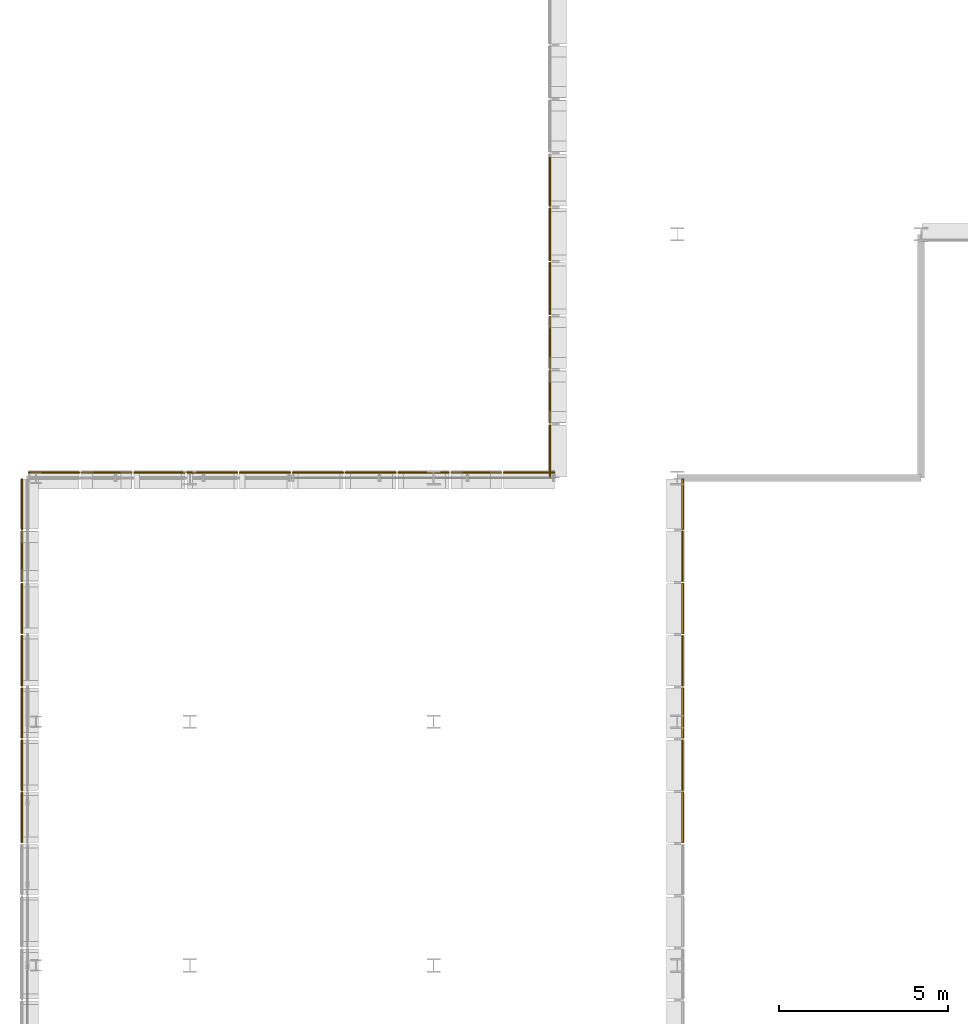
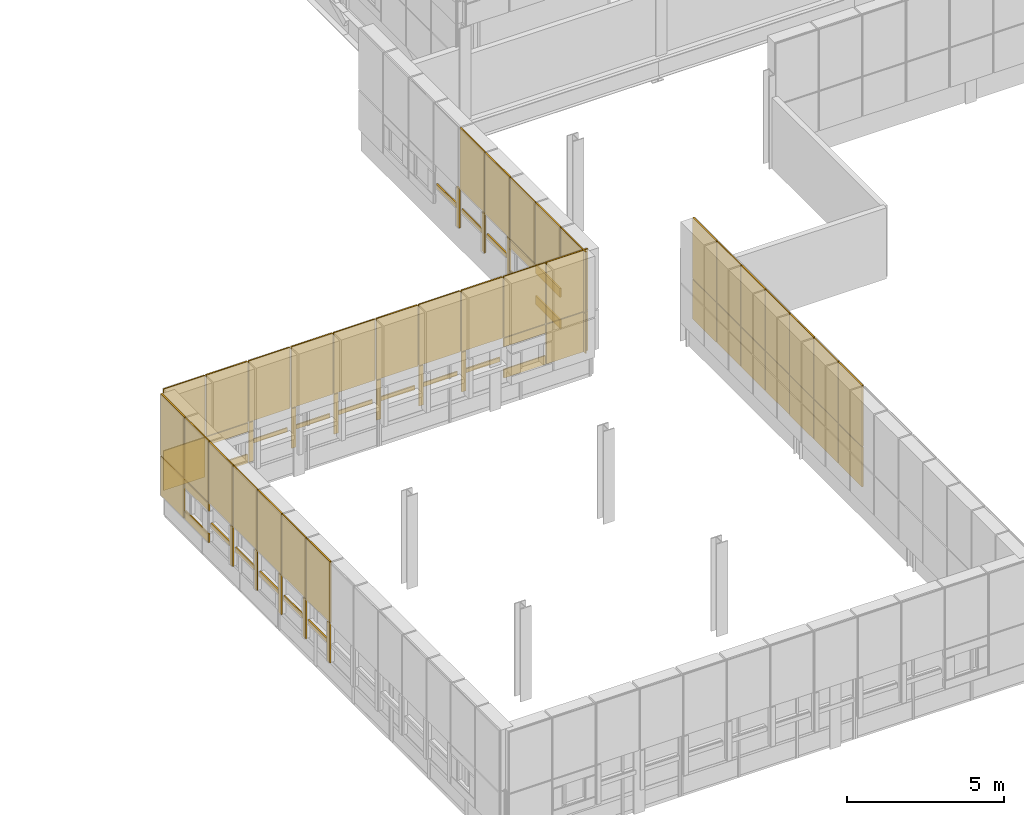
# One storey, part 77 of 96: 78 coverings.
"""IFC4 building model written with IfcOpenShell, lengths in metres."""

from ifc_helpers import new_model, si_unit, direction, frame, origin, origin_2d, place, context, subcontext, project, spatial, rectangle, extrude, material, layer, layer_set, type_object, element, save


model = new_model("IFC4")

# Units and contexts
model_context = context("Model", 3, precision=1e-05, world=origin(), true_north=direction((0.0, 1.0)))
body_context = subcontext(model_context, "Body", "Model", "MODEL_VIEW")
ifc_project = project(units=[si_unit("LENGTHUNIT", "METRE"), si_unit("AREAUNIT", "SQUARE_METRE"), si_unit("VOLUMEUNIT", "CUBIC_METRE"), si_unit("PLANEANGLEUNIT", "RADIAN"), si_unit("MASSUNIT", "GRAM", prefix="KILO")], contexts=[model_context])

# Site, building, storey
site_placement = place(None, origin())
site = spatial("IfcSite", under=ifc_project, at=site_placement, CompositionType="ELEMENT")
building_placement = place(site_placement, origin())
building = spatial("IfcBuilding", under=site, at=building_placement, Name="Yarey Park Central Fire Station", CompositionType="ELEMENT")
storey_placement = place(building_placement, frame((0.0, 0.0, 14.39990234375)))
storey = spatial("IfcBuildingStorey", under=building, at=storey_placement, Name="L04", CompositionType="ELEMENT", Elevation=14.39990234375)

# Coverings
ifc_material = material(Name="Perforated Powder-Coated Aluminium Cladding", Category="aluminium")
ifc_layer_1 = layer(ifc_material, 0.0419921875)
ifc_layer_set_1 = layer_set([ifc_layer_1], Name="Perforated Powder-Coated Aluminium Cladding")
covering_type_1 = type_object("IfcCoveringType", Name="ENV_COV_PERF_1", PredefinedType="CLADDING", material=ifc_layer_set_1)
covering_1_placement = place(storey_placement, frame((9.43994140625, 34.052978515625, 0.864990234375), z_axis=(0.0, 0.0, 1.0), x_axis=(0.0, 1.0, 0.0)))
element("IfcCovering", 1, at=covering_1_placement, inside=storey, type_object=covering_type_1, Name="PERF_L04_0063", PredefinedType="CLADDING", context=body_context, shape_type="SweptSolid", body=[
    extrude(rectangle(XDim=0.159912109375, YDim=0.0419921875, at=origin_2d()), origin(), (0.0, 0.0, 1.0), 1.5400390625),
])
covering_2_placement = place(storey_placement, frame((9.43994140625, 34.71435546875, 1.55517578125), z_axis=(0.0, 0.0, 1.0), x_axis=(0.0, 1.0, 0.0)))
element("IfcCovering", 2, at=covering_2_placement, inside=storey, type_object=covering_type_1, Name="PERF_L04_0064", PredefinedType="CLADDING", context=body_context, shape_type="SweptSolid", body=[
    extrude(rectangle(XDim=1.302978515625, YDim=0.0419921875, at=origin_2d()), origin(), (0.0, 0.0, 1.0), 0.159912109375),
])
covering_3_placement = place(storey_placement, frame((9.43994140625, 34.71435546875, 2.43505859375), z_axis=(0.0, 0.0, 1.0), x_axis=(0.0, 1.0, 0.0)))
element("IfcCovering", 3, at=covering_3_placement, inside=storey, type_object=covering_type_1, Name="PERF_L04_0065", PredefinedType="CLADDING", context=body_context, shape_type="SweptSolid", body=[
    extrude(rectangle(XDim=1.5029296875, YDim=0.0419921875, at=origin_2d()), origin(), (0.0, 0.0, 1.0), 2.3701171875),
])
covering_4_placement = place(storey_placement, frame((9.43994140625, 37.138671875, 0.864990234375), z_axis=(0.0, 0.0, 1.0), x_axis=(0.0, 1.0, 0.0)))
element("IfcCovering", 4, at=covering_4_placement, inside=storey, type_object=covering_type_1, Name="PERF_L04_0077", PredefinedType="CLADDING", context=body_context, shape_type="SweptSolid", body=[
    extrude(rectangle(XDim=0.159912109375, YDim=0.0419921875, at=origin_2d()), origin(), (0.0, 0.0, 1.0), 1.5400390625),
])
covering_5_placement = place(storey_placement, frame((9.43994140625, 37.800048828125, 1.55517578125), z_axis=(0.0, 0.0, 1.0), x_axis=(0.0, 1.0, 0.0)))
element("IfcCovering", 5, at=covering_5_placement, inside=storey, type_object=covering_type_1, Name="PERF_L04_0078", PredefinedType="CLADDING", context=body_context, shape_type="SweptSolid", body=[
    extrude(rectangle(XDim=1.302978515625, YDim=0.0419921875, at=origin_2d()), origin(), (0.0, 0.0, 1.0), 0.159912109375),
])
covering_6_placement = place(storey_placement, frame((9.43994140625, 37.800048828125, 2.43505859375), z_axis=(0.0, 0.0, 1.0), x_axis=(0.0, 1.0, 0.0)))
element("IfcCovering", 6, at=covering_6_placement, inside=storey, type_object=covering_type_1, Name="PERF_L04_0079", PredefinedType="CLADDING", context=body_context, shape_type="SweptSolid", body=[
    extrude(rectangle(XDim=1.5029296875, YDim=0.0419921875, at=origin_2d()), origin(), (0.0, 0.0, 1.0), 2.3701171875),
])
for number, where, z_axis, x_axis, name in (
    (7, (9.43994140625, 40.8857421875, 0.85986328125), (0.0, 0.0, 1.0), (0.0, 1.0, 0.0), "PERF_L04_0093"),
    (8, (9.43994140625, 40.8857421875, 2.06982421875), (0.0, 0.0, 1.0), (0.0, 1.0, 0.0), "PERF_L04_0094"),
):
    element("IfcCovering", number, at=place(storey_placement, frame(where, z_axis=z_axis, x_axis=x_axis)), inside=storey, type_object=covering_type_1, Name=name, PredefinedType="CLADDING", context=body_context, shape_type="SweptSolid", body=[
        extrude(rectangle(XDim=1.5029296875, YDim=0.0419921875, at=origin_2d()), origin(), (0.0, 0.0, 1.0), 0.340087890625),
    ])
covering_7_placement = place(storey_placement, frame((9.43994140625, 40.8857421875, 2.43505859375), z_axis=(0.0, 0.0, 1.0), x_axis=(0.0, 1.0, 0.0)))
element("IfcCovering", 9, at=covering_7_placement, inside=storey, type_object=covering_type_1, Name="PERF_L04_0097", PredefinedType="CLADDING", context=body_context, shape_type="SweptSolid", body=[
    extrude(rectangle(XDim=1.5029296875, YDim=0.0419921875, at=origin_2d()), origin(), (0.0, 0.0, 1.0), 2.3701171875),
])
covering_8_placement = place(storey_placement, frame((10.3798828125, 43.360107421875, 0.864990234375), z_axis=(0.0, 0.0, 1.0), x_axis=(1.0, 0.0, 0.0)))
element("IfcCovering", 10, at=covering_8_placement, inside=storey, type_object=covering_type_1, Name="PERF_L04_0194", PredefinedType="CLADDING", context=body_context, shape_type="SweptSolid", body=[
    extrude(rectangle(XDim=1.52001953125, YDim=0.0419921875, at=origin_2d()), origin(), (0.0, 0.0, 1.0), 1.5400390625),
])
covering_9_placement = place(storey_placement, frame((10.3798828125, 43.360107421875, 2.43505859375), z_axis=(0.0, 0.0, 1.0), x_axis=(1.0, 0.0, 0.0)))
element("IfcCovering", 11, at=covering_9_placement, inside=storey, type_object=covering_type_1, Name="PERF_L04_0195", PredefinedType="CLADDING", context=body_context, shape_type="SweptSolid", body=[
    extrude(rectangle(XDim=1.52001953125, YDim=0.0419921875, at=origin_2d()), origin(), (0.0, 0.0, 1.0), 2.3701171875),
])
covering_10_placement = place(storey_placement, frame((12.830078125, 43.360107421875, 0.864990234375), z_axis=(0.0, 0.0, 1.0), x_axis=(1.0, 0.0, 0.0)))
element("IfcCovering", 12, at=covering_10_placement, inside=storey, type_object=covering_type_1, Name="PERF_L04_0211", PredefinedType="CLADDING", context=body_context, shape_type="SweptSolid", body=[
    extrude(rectangle(XDim=0.159912109375, YDim=0.0419921875, at=origin_2d()), origin(), (0.0, 0.0, 1.0), 1.5400390625),
])
covering_11_placement = place(storey_placement, frame((13.5, 43.360107421875, 1.55517578125), z_axis=(0.0, 0.0, 1.0), x_axis=(1.0, 0.0, 0.0)))
element("IfcCovering", 13, at=covering_11_placement, inside=storey, type_object=covering_type_1, Name="PERF_L04_0212", PredefinedType="CLADDING", context=body_context, shape_type="SweptSolid", body=[
    extrude(rectangle(XDim=1.320068359375, YDim=0.0419921875, at=origin_2d()), origin(), (0.0, 0.0, 1.0), 0.159912109375),
])
covering_12_placement = place(storey_placement, frame((13.5, 43.360107421875, 2.43505859375), z_axis=(0.0, 0.0, 1.0), x_axis=(1.0, 0.0, 0.0)))
element("IfcCovering", 14, at=covering_12_placement, inside=storey, type_object=covering_type_1, Name="PERF_L04_0213", PredefinedType="CLADDING", context=body_context, shape_type="SweptSolid", body=[
    extrude(rectangle(XDim=1.52001953125, YDim=0.0419921875, at=origin_2d()), origin(), (0.0, 0.0, 1.0), 2.3701171875),
])
covering_13_placement = place(storey_placement, frame((15.949951171875, 43.360107421875, 0.864990234375), z_axis=(0.0, 0.0, 1.0), x_axis=(1.0, 0.0, 0.0)))
element("IfcCovering", 15, at=covering_13_placement, inside=storey, type_object=covering_type_1, Name="PERF_L04_0225", PredefinedType="CLADDING", context=body_context, shape_type="SweptSolid", body=[
    extrude(rectangle(XDim=0.159912109375, YDim=0.0419921875, at=origin_2d()), origin(), (0.0, 0.0, 1.0), 1.5400390625),
])
covering_14_placement = place(storey_placement, frame((16.6201171875, 43.360107421875, 1.55517578125), z_axis=(0.0, 0.0, 1.0), x_axis=(1.0, 0.0, 0.0)))
element("IfcCovering", 16, at=covering_14_placement, inside=storey, type_object=covering_type_1, Name="PERF_L04_0226", PredefinedType="CLADDING", context=body_context, shape_type="SweptSolid", body=[
    extrude(rectangle(XDim=1.320068359375, YDim=0.0419921875, at=origin_2d()), origin(), (0.0, 0.0, 1.0), 0.159912109375),
])
covering_15_placement = place(storey_placement, frame((16.6201171875, 43.360107421875, 2.43505859375), z_axis=(0.0, 0.0, 1.0), x_axis=(1.0, 0.0, 0.0)))
element("IfcCovering", 17, at=covering_15_placement, inside=storey, type_object=covering_type_1, Name="PERF_L04_0227", PredefinedType="CLADDING", context=body_context, shape_type="SweptSolid", body=[
    extrude(rectangle(XDim=1.52001953125, YDim=0.0419921875, at=origin_2d()), origin(), (0.0, 0.0, 1.0), 2.3701171875),
])
covering_16_placement = place(storey_placement, frame((19.070068359375, 43.360107421875, 0.864990234375), z_axis=(0.0, 0.0, 1.0), x_axis=(1.0, 0.0, 0.0)))
element("IfcCovering", 18, at=covering_16_placement, inside=storey, type_object=covering_type_1, Name="PERF_L04_0239", PredefinedType="CLADDING", context=body_context, shape_type="SweptSolid", body=[
    extrude(rectangle(XDim=0.159912109375, YDim=0.0419921875, at=origin_2d()), origin(), (0.0, 0.0, 1.0), 1.5400390625),
])
covering_17_placement = place(storey_placement, frame((19.739990234375, 43.360107421875, 1.55517578125), z_axis=(0.0, 0.0, 1.0), x_axis=(1.0, 0.0, 0.0)))
element("IfcCovering", 19, at=covering_17_placement, inside=storey, type_object=covering_type_1, Name="PERF_L04_0240", PredefinedType="CLADDING", context=body_context, shape_type="SweptSolid", body=[
    extrude(rectangle(XDim=1.320068359375, YDim=0.0419921875, at=origin_2d()), origin(), (0.0, 0.0, 1.0), 0.159912109375),
])
covering_18_placement = place(storey_placement, frame((19.739990234375, 43.360107421875, 2.43505859375), z_axis=(0.0, 0.0, 1.0), x_axis=(1.0, 0.0, 0.0)))
element("IfcCovering", 20, at=covering_18_placement, inside=storey, type_object=covering_type_1, Name="PERF_L04_0241", PredefinedType="CLADDING", context=body_context, shape_type="SweptSolid", body=[
    extrude(rectangle(XDim=1.52001953125, YDim=0.0419921875, at=origin_2d()), origin(), (0.0, 0.0, 1.0), 2.3701171875),
])
for number, where, z_axis, x_axis, name in (
    (21, (22.860107421875, 43.360107421875, 0.85986328125), (0.0, 0.0, 1.0), (1.0, 0.0, 0.0), "PERF_L04_0255"),
    (22, (22.860107421875, 43.360107421875, 2.06982421875), (0.0, 0.0, 1.0), (1.0, 0.0, 0.0), "PERF_L04_0256"),
):
    element("IfcCovering", number, at=place(storey_placement, frame(where, z_axis=z_axis, x_axis=x_axis)), inside=storey, type_object=covering_type_1, Name=name, PredefinedType="CLADDING", context=body_context, shape_type="SweptSolid", body=[
        extrude(rectangle(XDim=1.52001953125, YDim=0.0419921875, at=origin_2d()), origin(), (0.0, 0.0, 1.0), 0.340087890625),
    ])
covering_19_placement = place(storey_placement, frame((22.860107421875, 43.360107421875, 2.43505859375), z_axis=(0.0, 0.0, 1.0), x_axis=(1.0, 0.0, 0.0)))
element("IfcCovering", 23, at=covering_19_placement, inside=storey, type_object=covering_type_1, Name="PERF_L04_0259", PredefinedType="CLADDING", context=body_context, shape_type="SweptSolid", body=[
    extrude(rectangle(XDim=1.52001953125, YDim=0.0419921875, at=origin_2d()), origin(), (0.0, 0.0, 1.0), 2.3701171875),
])
covering_20_placement = place(storey_placement, frame((25.0400390625, 44.0, 0.864990234375), z_axis=(0.0, 0.0, 1.0), x_axis=(0.0, 1.0, 0.0)))
element("IfcCovering", 24, at=covering_20_placement, inside=storey, type_object=covering_type_1, Name="PERF_L04_0529", PredefinedType="CLADDING", context=body_context, shape_type="SweptSolid", body=[
    extrude(rectangle(XDim=1.56005859375, YDim=0.0419921875, at=origin_2d()), origin(), (0.0, 0.0, 1.0), 1.5400390625),
])
covering_21_placement = place(storey_placement, frame((25.0400390625, 44.0, 2.43505859375), z_axis=(0.0, 0.0, 1.0), x_axis=(0.0, 1.0, 0.0)))
element("IfcCovering", 25, at=covering_21_placement, inside=storey, type_object=covering_type_1, Name="PERF_L04_0530", PredefinedType="CLADDING", context=body_context, shape_type="SweptSolid", body=[
    extrude(rectangle(XDim=1.56005859375, YDim=0.0419921875, at=origin_2d()), origin(), (0.0, 0.0, 1.0), 2.3701171875),
])
for number, where, z_axis, x_axis, name in (
    (26, (25.0400390625, 47.199951171875, 0.85986328125), (0.0, 0.0, 1.0), (0.0, 1.0, 0.0), "PERF_L04_0548"),
    (27, (25.0400390625, 47.199951171875, 2.06982421875), (0.0, 0.0, 1.0), (0.0, 1.0, 0.0), "PERF_L04_0549"),
):
    element("IfcCovering", number, at=place(storey_placement, frame(where, z_axis=z_axis, x_axis=x_axis)), inside=storey, type_object=covering_type_1, Name=name, PredefinedType="CLADDING", context=body_context, shape_type="SweptSolid", body=[
        extrude(rectangle(XDim=1.56005859375, YDim=0.0419921875, at=origin_2d()), origin(), (0.0, 0.0, 1.0), 0.340087890625),
    ])
covering_22_placement = place(storey_placement, frame((25.0400390625, 47.199951171875, 2.43505859375), z_axis=(0.0, 0.0, 1.0), x_axis=(0.0, 1.0, 0.0)))
element("IfcCovering", 28, at=covering_22_placement, inside=storey, type_object=covering_type_1, Name="PERF_L04_0552", PredefinedType="CLADDING", context=body_context, shape_type="SweptSolid", body=[
    extrude(rectangle(XDim=1.56005859375, YDim=0.0419921875, at=origin_2d()), origin(), (0.0, 0.0, 1.0), 2.3701171875),
])
covering_23_placement = place(storey_placement, frame((25.0400390625, 49.7099609375, 0.864990234375), z_axis=(0.0, 0.0, 1.0), x_axis=(0.0, 1.0, 0.0)))
element("IfcCovering", 29, at=covering_23_placement, inside=storey, type_object=covering_type_1, Name="PERF_L04_0564", PredefinedType="CLADDING", context=body_context, shape_type="SweptSolid", body=[
    extrude(rectangle(XDim=0.159912109375, YDim=0.0419921875, at=origin_2d()), origin(), (0.0, 0.0, 1.0), 1.5400390625),
])
covering_24_placement = place(storey_placement, frame((25.0400390625, 50.39990234375, 1.55517578125), z_axis=(0.0, 0.0, 1.0), x_axis=(0.0, 1.0, 0.0)))
element("IfcCovering", 30, at=covering_24_placement, inside=storey, type_object=covering_type_1, Name="PERF_L04_0565", PredefinedType="CLADDING", context=body_context, shape_type="SweptSolid", body=[
    extrude(rectangle(XDim=1.360107421875, YDim=0.0419921875, at=origin_2d()), origin(), (0.0, 0.0, 1.0), 0.159912109375),
])
covering_25_placement = place(storey_placement, frame((25.0400390625, 50.39990234375, 2.43505859375), z_axis=(0.0, 0.0, 1.0), x_axis=(0.0, 1.0, 0.0)))
element("IfcCovering", 31, at=covering_25_placement, inside=storey, type_object=covering_type_1, Name="PERF_L04_0566", PredefinedType="CLADDING", context=body_context, shape_type="SweptSolid", body=[
    extrude(rectangle(XDim=1.56005859375, YDim=0.0419921875, at=origin_2d()), origin(), (0.0, 0.0, 1.0), 2.3701171875),
])
covering_26_placement = place(storey_placement, frame((28.9599609375, 34.71435546875, 0.864990234375), z_axis=(0.0, 0.0, 1.0), x_axis=(0.0, 1.0, 0.0)))
element("IfcCovering", 32, at=covering_26_placement, inside=storey, type_object=covering_type_1, Name="PERF_L04_0960", PredefinedType="CLADDING", context=body_context, shape_type="SweptSolid", body=[
    extrude(rectangle(XDim=1.5029296875, YDim=0.0419921875, at=origin_2d()), origin(), (0.0, 0.0, 1.0), 1.5400390625),
])
covering_27_placement = place(storey_placement, frame((28.9599609375, 34.71435546875, 2.43505859375), z_axis=(0.0, 0.0, 1.0), x_axis=(0.0, 1.0, 0.0)))
element("IfcCovering", 33, at=covering_27_placement, inside=storey, type_object=covering_type_1, Name="PERF_L04_0961", PredefinedType="CLADDING", context=body_context, shape_type="SweptSolid", body=[
    extrude(rectangle(XDim=1.5029296875, YDim=0.0419921875, at=origin_2d()), origin(), (0.0, 0.0, 1.0), 2.3701171875),
])
covering_28_placement = place(storey_placement, frame((28.9599609375, 37.800048828125, 0.864990234375), z_axis=(0.0, 0.0, 1.0), x_axis=(0.0, 1.0, 0.0)))
element("IfcCovering", 34, at=covering_28_placement, inside=storey, type_object=covering_type_1, Name="PERF_L04_0970", PredefinedType="CLADDING", context=body_context, shape_type="SweptSolid", body=[
    extrude(rectangle(XDim=1.5029296875, YDim=0.0419921875, at=origin_2d()), origin(), (0.0, 0.0, 1.0), 1.5400390625),
])
covering_29_placement = place(storey_placement, frame((28.9599609375, 37.800048828125, 2.43505859375), z_axis=(0.0, 0.0, 1.0), x_axis=(0.0, 1.0, 0.0)))
element("IfcCovering", 35, at=covering_29_placement, inside=storey, type_object=covering_type_1, Name="PERF_L04_0971", PredefinedType="CLADDING", context=body_context, shape_type="SweptSolid", body=[
    extrude(rectangle(XDim=1.5029296875, YDim=0.0419921875, at=origin_2d()), origin(), (0.0, 0.0, 1.0), 2.3701171875),
])
covering_30_placement = place(storey_placement, frame((28.9599609375, 40.8857421875, 0.864990234375), z_axis=(0.0, 0.0, 1.0), x_axis=(0.0, 1.0, 0.0)))
element("IfcCovering", 36, at=covering_30_placement, inside=storey, type_object=covering_type_1, Name="PERF_L04_0980", PredefinedType="CLADDING", context=body_context, shape_type="SweptSolid", body=[
    extrude(rectangle(XDim=1.5029296875, YDim=0.0419921875, at=origin_2d()), origin(), (0.0, 0.0, 1.0), 1.5400390625),
])
covering_31_placement = place(storey_placement, frame((28.9599609375, 40.8857421875, 2.43505859375), z_axis=(0.0, 0.0, 1.0), x_axis=(0.0, 1.0, 0.0)))
element("IfcCovering", 37, at=covering_31_placement, inside=storey, type_object=covering_type_1, Name="PERF_L04_0981", PredefinedType="CLADDING", context=body_context, shape_type="SweptSolid", body=[
    extrude(rectangle(XDim=1.5029296875, YDim=0.0419921875, at=origin_2d()), origin(), (0.0, 0.0, 1.0), 2.3701171875),
])
ifc_layer_2 = layer(ifc_material, 0.053955078125)
ifc_layer_set_2 = layer_set([ifc_layer_2], Name="Perforated Powder-Coated Aluminium Cladding")
covering_type_2 = type_object("IfcCoveringType", Name="ENV_COV_PERF_2", PredefinedType="CLADDING", material=ifc_layer_set_2)
covering_32_placement = place(storey_placement, frame((9.43994140625, 32.510009765625, 0.864990234375), z_axis=(0.0, 0.0, 1.0), x_axis=(0.0, 1.0, 0.0)))
element("IfcCovering", 38, at=covering_32_placement, inside=storey, type_object=covering_type_2, Name="PERF_L04_0056", PredefinedType="CLADDING", context=body_context, shape_type="SweptSolid", body=[
    extrude(rectangle(XDim=0.159912109375, YDim=0.053955078125, at=origin_2d()), origin(), (0.0, 0.0, 1.0), 1.5400390625),
])
covering_33_placement = place(storey_placement, frame((9.43994140625, 33.17138671875, 1.55517578125), z_axis=(0.0, 0.0, 1.0), x_axis=(0.0, 1.0, 0.0)))
element("IfcCovering", 39, at=covering_33_placement, inside=storey, type_object=covering_type_2, Name="PERF_L04_0057", PredefinedType="CLADDING", context=body_context, shape_type="SweptSolid", body=[
    extrude(rectangle(XDim=1.302978515625, YDim=0.053955078125, at=origin_2d()), origin(), (0.0, 0.0, 1.0), 0.159912109375),
])
covering_34_placement = place(storey_placement, frame((9.43994140625, 33.17138671875, 2.43505859375), z_axis=(0.0, 0.0, 1.0), x_axis=(0.0, 1.0, 0.0)))
element("IfcCovering", 40, at=covering_34_placement, inside=storey, type_object=covering_type_2, Name="PERF_L04_0058", PredefinedType="CLADDING", context=body_context, shape_type="SweptSolid", body=[
    extrude(rectangle(XDim=1.5029296875, YDim=0.053955078125, at=origin_2d()), origin(), (0.0, 0.0, 1.0), 2.3701171875),
])
covering_35_placement = place(storey_placement, frame((9.43994140625, 35.595703125, 0.864990234375), z_axis=(0.0, 0.0, 1.0), x_axis=(0.0, 1.0, 0.0)))
element("IfcCovering", 41, at=covering_35_placement, inside=storey, type_object=covering_type_2, Name="PERF_L04_0070", PredefinedType="CLADDING", context=body_context, shape_type="SweptSolid", body=[
    extrude(rectangle(XDim=0.159912109375, YDim=0.053955078125, at=origin_2d()), origin(), (0.0, 0.0, 1.0), 1.5400390625),
])
covering_36_placement = place(storey_placement, frame((9.43994140625, 36.257080078125, 1.55517578125), z_axis=(0.0, 0.0, 1.0), x_axis=(0.0, 1.0, 0.0)))
element("IfcCovering", 42, at=covering_36_placement, inside=storey, type_object=covering_type_2, Name="PERF_L04_0071", PredefinedType="CLADDING", context=body_context, shape_type="SweptSolid", body=[
    extrude(rectangle(XDim=1.302978515625, YDim=0.053955078125, at=origin_2d()), origin(), (0.0, 0.0, 1.0), 0.159912109375),
])
covering_37_placement = place(storey_placement, frame((9.43994140625, 36.257080078125, 2.43505859375), z_axis=(0.0, 0.0, 1.0), x_axis=(0.0, 1.0, 0.0)))
element("IfcCovering", 43, at=covering_37_placement, inside=storey, type_object=covering_type_2, Name="PERF_L04_0072", PredefinedType="CLADDING", context=body_context, shape_type="SweptSolid", body=[
    extrude(rectangle(XDim=1.5029296875, YDim=0.053955078125, at=origin_2d()), origin(), (0.0, 0.0, 1.0), 2.3701171875),
])
covering_38_placement = place(storey_placement, frame((9.43994140625, 38.681396484375, 0.864990234375), z_axis=(0.0, 0.0, 1.0), x_axis=(0.0, 1.0, 0.0)))
element("IfcCovering", 44, at=covering_38_placement, inside=storey, type_object=covering_type_2, Name="PERF_L04_0084", PredefinedType="CLADDING", context=body_context, shape_type="SweptSolid", body=[
    extrude(rectangle(XDim=0.159912109375, YDim=0.053955078125, at=origin_2d()), origin(), (0.0, 0.0, 1.0), 1.5400390625),
])
covering_39_placement = place(storey_placement, frame((9.43994140625, 39.343017578125, 1.55517578125), z_axis=(0.0, 0.0, 1.0), x_axis=(0.0, 1.0, 0.0)))
element("IfcCovering", 45, at=covering_39_placement, inside=storey, type_object=covering_type_2, Name="PERF_L04_0085", PredefinedType="CLADDING", context=body_context, shape_type="SweptSolid", body=[
    extrude(rectangle(XDim=1.302978515625, YDim=0.053955078125, at=origin_2d()), origin(), (0.0, 0.0, 1.0), 0.159912109375),
])
covering_40_placement = place(storey_placement, frame((9.43994140625, 39.343017578125, 2.43505859375), z_axis=(0.0, 0.0, 1.0), x_axis=(0.0, 1.0, 0.0)))
element("IfcCovering", 46, at=covering_40_placement, inside=storey, type_object=covering_type_2, Name="PERF_L04_0086", PredefinedType="CLADDING", context=body_context, shape_type="SweptSolid", body=[
    extrude(rectangle(XDim=1.5029296875, YDim=0.053955078125, at=origin_2d()), origin(), (0.0, 0.0, 1.0), 2.3701171875),
])
covering_41_placement = place(storey_placement, frame((9.43994140625, 42.4287109375, 0.864990234375), z_axis=(0.0, 0.0, 1.0), x_axis=(0.0, 1.0, 0.0)))
element("IfcCovering", 47, at=covering_41_placement, inside=storey, type_object=covering_type_2, Name="PERF_L04_0101", PredefinedType="CLADDING", context=body_context, shape_type="SweptSolid", body=[
    extrude(rectangle(XDim=1.5029296875, YDim=0.053955078125, at=origin_2d()), origin(), (0.0, 0.0, 1.0), 1.5400390625),
])
covering_42_placement = place(storey_placement, frame((9.43994140625, 42.4287109375, 2.43505859375), z_axis=(0.0, 0.0, 1.0), x_axis=(0.0, 1.0, 0.0)))
element("IfcCovering", 48, at=covering_42_placement, inside=storey, type_object=covering_type_2, Name="PERF_L04_0102", PredefinedType="CLADDING", context=body_context, shape_type="SweptSolid", body=[
    extrude(rectangle(XDim=1.5029296875, YDim=0.053955078125, at=origin_2d()), origin(), (0.0, 0.0, 1.0), 2.3701171875),
])
for number, where, z_axis, x_axis, name in (
    (49, (11.93994140625, 43.360107421875, 0.85986328125), (0.0, 0.0, 1.0), (1.0, 0.0, 0.0), "PERF_L04_0202"),
    (50, (11.93994140625, 43.360107421875, 2.06982421875), (0.0, 0.0, 1.0), (1.0, 0.0, 0.0), "PERF_L04_0203"),
):
    element("IfcCovering", number, at=place(storey_placement, frame(where, z_axis=z_axis, x_axis=x_axis)), inside=storey, type_object=covering_type_2, Name=name, PredefinedType="CLADDING", context=body_context, shape_type="SweptSolid", body=[
        extrude(rectangle(XDim=1.52001953125, YDim=0.053955078125, at=origin_2d()), origin(), (0.0, 0.0, 1.0), 0.340087890625),
    ])
covering_43_placement = place(storey_placement, frame((11.93994140625, 43.360107421875, 2.43505859375), z_axis=(0.0, 0.0, 1.0), x_axis=(1.0, 0.0, 0.0)))
element("IfcCovering", 51, at=covering_43_placement, inside=storey, type_object=covering_type_2, Name="PERF_L04_0206", PredefinedType="CLADDING", context=body_context, shape_type="SweptSolid", body=[
    extrude(rectangle(XDim=1.52001953125, YDim=0.053955078125, at=origin_2d()), origin(), (0.0, 0.0, 1.0), 2.3701171875),
])
covering_44_placement = place(storey_placement, frame((14.389892578125, 43.360107421875, 0.864990234375), z_axis=(0.0, 0.0, 1.0), x_axis=(1.0, 0.0, 0.0)))
element("IfcCovering", 52, at=covering_44_placement, inside=storey, type_object=covering_type_2, Name="PERF_L04_0218", PredefinedType="CLADDING", context=body_context, shape_type="SweptSolid", body=[
    extrude(rectangle(XDim=0.159912109375, YDim=0.053955078125, at=origin_2d()), origin(), (0.0, 0.0, 1.0), 1.5400390625),
])
covering_45_placement = place(storey_placement, frame((15.06005859375, 43.360107421875, 1.55517578125), z_axis=(0.0, 0.0, 1.0), x_axis=(1.0, 0.0, 0.0)))
element("IfcCovering", 53, at=covering_45_placement, inside=storey, type_object=covering_type_2, Name="PERF_L04_0219", PredefinedType="CLADDING", context=body_context, shape_type="SweptSolid", body=[
    extrude(rectangle(XDim=1.320068359375, YDim=0.053955078125, at=origin_2d()), origin(), (0.0, 0.0, 1.0), 0.159912109375),
])
covering_46_placement = place(storey_placement, frame((15.06005859375, 43.360107421875, 2.43505859375), z_axis=(0.0, 0.0, 1.0), x_axis=(1.0, 0.0, 0.0)))
element("IfcCovering", 54, at=covering_46_placement, inside=storey, type_object=covering_type_2, Name="PERF_L04_0220", PredefinedType="CLADDING", context=body_context, shape_type="SweptSolid", body=[
    extrude(rectangle(XDim=1.52001953125, YDim=0.053955078125, at=origin_2d()), origin(), (0.0, 0.0, 1.0), 2.3701171875),
])
covering_47_placement = place(storey_placement, frame((17.510009765625, 43.360107421875, 0.864990234375), z_axis=(0.0, 0.0, 1.0), x_axis=(1.0, 0.0, 0.0)))
element("IfcCovering", 55, at=covering_47_placement, inside=storey, type_object=covering_type_2, Name="PERF_L04_0232", PredefinedType="CLADDING", context=body_context, shape_type="SweptSolid", body=[
    extrude(rectangle(XDim=0.159912109375, YDim=0.053955078125, at=origin_2d()), origin(), (0.0, 0.0, 1.0), 1.5400390625),
])
covering_48_placement = place(storey_placement, frame((18.179931640625, 43.360107421875, 1.55517578125), z_axis=(0.0, 0.0, 1.0), x_axis=(1.0, 0.0, 0.0)))
element("IfcCovering", 56, at=covering_48_placement, inside=storey, type_object=covering_type_2, Name="PERF_L04_0233", PredefinedType="CLADDING", context=body_context, shape_type="SweptSolid", body=[
    extrude(rectangle(XDim=1.320068359375, YDim=0.053955078125, at=origin_2d()), origin(), (0.0, 0.0, 1.0), 0.159912109375),
])
covering_49_placement = place(storey_placement, frame((18.179931640625, 43.360107421875, 2.43505859375), z_axis=(0.0, 0.0, 1.0), x_axis=(1.0, 0.0, 0.0)))
element("IfcCovering", 57, at=covering_49_placement, inside=storey, type_object=covering_type_2, Name="PERF_L04_0234", PredefinedType="CLADDING", context=body_context, shape_type="SweptSolid", body=[
    extrude(rectangle(XDim=1.52001953125, YDim=0.053955078125, at=origin_2d()), origin(), (0.0, 0.0, 1.0), 2.3701171875),
])
covering_50_placement = place(storey_placement, frame((20.6298828125, 43.360107421875, 0.864990234375), z_axis=(0.0, 0.0, 1.0), x_axis=(1.0, 0.0, 0.0)))
element("IfcCovering", 58, at=covering_50_placement, inside=storey, type_object=covering_type_2, Name="PERF_L04_0246", PredefinedType="CLADDING", context=body_context, shape_type="SweptSolid", body=[
    extrude(rectangle(XDim=0.159912109375, YDim=0.053955078125, at=origin_2d()), origin(), (0.0, 0.0, 1.0), 1.5400390625),
])
covering_51_placement = place(storey_placement, frame((21.300048828125, 43.360107421875, 1.55517578125), z_axis=(0.0, 0.0, 1.0), x_axis=(1.0, 0.0, 0.0)))
element("IfcCovering", 59, at=covering_51_placement, inside=storey, type_object=covering_type_2, Name="PERF_L04_0247", PredefinedType="CLADDING", context=body_context, shape_type="SweptSolid", body=[
    extrude(rectangle(XDim=1.320068359375, YDim=0.053955078125, at=origin_2d()), origin(), (0.0, 0.0, 1.0), 0.159912109375),
])
covering_52_placement = place(storey_placement, frame((21.300048828125, 43.360107421875, 2.43505859375), z_axis=(0.0, 0.0, 1.0), x_axis=(1.0, 0.0, 0.0)))
element("IfcCovering", 60, at=covering_52_placement, inside=storey, type_object=covering_type_2, Name="PERF_L04_0248", PredefinedType="CLADDING", context=body_context, shape_type="SweptSolid", body=[
    extrude(rectangle(XDim=1.52001953125, YDim=0.053955078125, at=origin_2d()), origin(), (0.0, 0.0, 1.0), 2.3701171875),
])
covering_53_placement = place(storey_placement, frame((24.419921875, 43.360107421875, 0.864990234375), z_axis=(0.0, 0.0, 1.0), x_axis=(1.0, 0.0, 0.0)))
element("IfcCovering", 61, at=covering_53_placement, inside=storey, type_object=covering_type_2, Name="PERF_L04_0263", PredefinedType="CLADDING", context=body_context, shape_type="SweptSolid", body=[
    extrude(rectangle(XDim=1.52001953125, YDim=0.053955078125, at=origin_2d()), origin(), (0.0, 0.0, 1.0), 1.5400390625),
])
covering_54_placement = place(storey_placement, frame((24.419921875, 43.360107421875, 2.43505859375), z_axis=(0.0, 0.0, 1.0), x_axis=(1.0, 0.0, 0.0)))
element("IfcCovering", 62, at=covering_54_placement, inside=storey, type_object=covering_type_2, Name="PERF_L04_0264", PredefinedType="CLADDING", context=body_context, shape_type="SweptSolid", body=[
    extrude(rectangle(XDim=1.52001953125, YDim=0.053955078125, at=origin_2d()), origin(), (0.0, 0.0, 1.0), 2.3701171875),
])
for number, where, z_axis, x_axis, name in (
    (63, (25.0400390625, 45.60009765625, 0.85986328125), (0.0, 0.0, 1.0), (0.0, 1.0, 0.0), "PERF_L04_0537"),
    (64, (25.0400390625, 45.60009765625, 2.06982421875), (0.0, 0.0, 1.0), (0.0, 1.0, 0.0), "PERF_L04_0538"),
):
    element("IfcCovering", number, at=place(storey_placement, frame(where, z_axis=z_axis, x_axis=x_axis)), inside=storey, type_object=covering_type_2, Name=name, PredefinedType="CLADDING", context=body_context, shape_type="SweptSolid", body=[
        extrude(rectangle(XDim=1.56005859375, YDim=0.053955078125, at=origin_2d()), origin(), (0.0, 0.0, 1.0), 0.340087890625),
    ])
covering_55_placement = place(storey_placement, frame((25.0400390625, 45.60009765625, 2.43505859375), z_axis=(0.0, 0.0, 1.0), x_axis=(0.0, 1.0, 0.0)))
element("IfcCovering", 65, at=covering_55_placement, inside=storey, type_object=covering_type_2, Name="PERF_L04_0541", PredefinedType="CLADDING", context=body_context, shape_type="SweptSolid", body=[
    extrude(rectangle(XDim=1.56005859375, YDim=0.053955078125, at=origin_2d()), origin(), (0.0, 0.0, 1.0), 2.3701171875),
])
covering_56_placement = place(storey_placement, frame((25.0400390625, 48.110107421875, 0.864990234375), z_axis=(0.0, 0.0, 1.0), x_axis=(0.0, 1.0, 0.0)))
element("IfcCovering", 66, at=covering_56_placement, inside=storey, type_object=covering_type_2, Name="PERF_L04_0557", PredefinedType="CLADDING", context=body_context, shape_type="SweptSolid", body=[
    extrude(rectangle(XDim=0.159912109375, YDim=0.053955078125, at=origin_2d()), origin(), (0.0, 0.0, 1.0), 1.5400390625),
])
covering_57_placement = place(storey_placement, frame((25.0400390625, 48.800048828125, 1.55517578125), z_axis=(0.0, 0.0, 1.0), x_axis=(0.0, 1.0, 0.0)))
element("IfcCovering", 67, at=covering_57_placement, inside=storey, type_object=covering_type_2, Name="PERF_L04_0558", PredefinedType="CLADDING", context=body_context, shape_type="SweptSolid", body=[
    extrude(rectangle(XDim=1.360107421875, YDim=0.053955078125, at=origin_2d()), origin(), (0.0, 0.0, 1.0), 0.159912109375),
])
covering_58_placement = place(storey_placement, frame((25.0400390625, 48.800048828125, 2.43505859375), z_axis=(0.0, 0.0, 1.0), x_axis=(0.0, 1.0, 0.0)))
element("IfcCovering", 68, at=covering_58_placement, inside=storey, type_object=covering_type_2, Name="PERF_L04_0559", PredefinedType="CLADDING", context=body_context, shape_type="SweptSolid", body=[
    extrude(rectangle(XDim=1.56005859375, YDim=0.053955078125, at=origin_2d()), origin(), (0.0, 0.0, 1.0), 2.3701171875),
])
covering_59_placement = place(storey_placement, frame((25.0400390625, 51.31005859375, 0.864990234375), z_axis=(0.0, 0.0, 1.0), x_axis=(0.0, 1.0, 0.0)))
element("IfcCovering", 69, at=covering_59_placement, inside=storey, type_object=covering_type_2, Name="PERF_L04_0571", PredefinedType="CLADDING", context=body_context, shape_type="SweptSolid", body=[
    extrude(rectangle(XDim=0.159912109375, YDim=0.053955078125, at=origin_2d()), origin(), (0.0, 0.0, 1.0), 1.5400390625),
])
covering_60_placement = place(storey_placement, frame((25.0400390625, 52.0, 1.55517578125), z_axis=(0.0, 0.0, 1.0), x_axis=(0.0, 1.0, 0.0)))
element("IfcCovering", 70, at=covering_60_placement, inside=storey, type_object=covering_type_2, Name="PERF_L04_0572", PredefinedType="CLADDING", context=body_context, shape_type="SweptSolid", body=[
    extrude(rectangle(XDim=1.360107421875, YDim=0.053955078125, at=origin_2d()), origin(), (0.0, 0.0, 1.0), 0.159912109375),
])
covering_61_placement = place(storey_placement, frame((28.9599609375, 33.17138671875, 0.864990234375), z_axis=(0.0, 0.0, 1.0), x_axis=(0.0, 1.0, 0.0)))
element("IfcCovering", 71, at=covering_61_placement, inside=storey, type_object=covering_type_2, Name="PERF_L04_0955", PredefinedType="CLADDING", context=body_context, shape_type="SweptSolid", body=[
    extrude(rectangle(XDim=1.5029296875, YDim=0.053955078125, at=origin_2d()), origin(), (0.0, 0.0, 1.0), 1.5400390625),
])
covering_62_placement = place(storey_placement, frame((28.9599609375, 33.17138671875, 2.43505859375), z_axis=(0.0, 0.0, 1.0), x_axis=(0.0, 1.0, 0.0)))
element("IfcCovering", 72, at=covering_62_placement, inside=storey, type_object=covering_type_2, Name="PERF_L04_0956", PredefinedType="CLADDING", context=body_context, shape_type="SweptSolid", body=[
    extrude(rectangle(XDim=1.5029296875, YDim=0.053955078125, at=origin_2d()), origin(), (0.0, 0.0, 1.0), 2.3701171875),
])
covering_63_placement = place(storey_placement, frame((28.9599609375, 36.257080078125, 0.864990234375), z_axis=(0.0, 0.0, 1.0), x_axis=(0.0, 1.0, 0.0)))
element("IfcCovering", 73, at=covering_63_placement, inside=storey, type_object=covering_type_2, Name="PERF_L04_0965", PredefinedType="CLADDING", context=body_context, shape_type="SweptSolid", body=[
    extrude(rectangle(XDim=1.5029296875, YDim=0.053955078125, at=origin_2d()), origin(), (0.0, 0.0, 1.0), 1.5400390625),
])
covering_64_placement = place(storey_placement, frame((28.9599609375, 36.257080078125, 2.43505859375), z_axis=(0.0, 0.0, 1.0), x_axis=(0.0, 1.0, 0.0)))
element("IfcCovering", 74, at=covering_64_placement, inside=storey, type_object=covering_type_2, Name="PERF_L04_0966", PredefinedType="CLADDING", context=body_context, shape_type="SweptSolid", body=[
    extrude(rectangle(XDim=1.5029296875, YDim=0.053955078125, at=origin_2d()), origin(), (0.0, 0.0, 1.0), 2.3701171875),
])
covering_65_placement = place(storey_placement, frame((28.9599609375, 39.343017578125, 0.864990234375), z_axis=(0.0, 0.0, 1.0), x_axis=(0.0, 1.0, 0.0)))
element("IfcCovering", 75, at=covering_65_placement, inside=storey, type_object=covering_type_2, Name="PERF_L04_0975", PredefinedType="CLADDING", context=body_context, shape_type="SweptSolid", body=[
    extrude(rectangle(XDim=1.5029296875, YDim=0.053955078125, at=origin_2d()), origin(), (0.0, 0.0, 1.0), 1.5400390625),
])
covering_66_placement = place(storey_placement, frame((28.9599609375, 39.343017578125, 2.43505859375), z_axis=(0.0, 0.0, 1.0), x_axis=(0.0, 1.0, 0.0)))
element("IfcCovering", 76, at=covering_66_placement, inside=storey, type_object=covering_type_2, Name="PERF_L04_0976", PredefinedType="CLADDING", context=body_context, shape_type="SweptSolid", body=[
    extrude(rectangle(XDim=1.5029296875, YDim=0.053955078125, at=origin_2d()), origin(), (0.0, 0.0, 1.0), 2.3701171875),
])
covering_67_placement = place(storey_placement, frame((28.9599609375, 42.4287109375, 0.864990234375), z_axis=(0.0, 0.0, 1.0), x_axis=(0.0, 1.0, 0.0)))
element("IfcCovering", 77, at=covering_67_placement, inside=storey, type_object=covering_type_2, Name="PERF_L04_0985", PredefinedType="CLADDING", context=body_context, shape_type="SweptSolid", body=[
    extrude(rectangle(XDim=1.5029296875, YDim=0.053955078125, at=origin_2d()), origin(), (0.0, 0.0, 1.0), 1.5400390625),
])
covering_68_placement = place(storey_placement, frame((28.9599609375, 42.4287109375, 2.43505859375), z_axis=(0.0, 0.0, 1.0), x_axis=(0.0, 1.0, 0.0)))
element("IfcCovering", 78, at=covering_68_placement, inside=storey, type_object=covering_type_2, Name="PERF_L04_0986", PredefinedType="CLADDING", context=body_context, shape_type="SweptSolid", body=[
    extrude(rectangle(XDim=1.5029296875, YDim=0.053955078125, at=origin_2d()), origin(), (0.0, 0.0, 1.0), 2.3701171875),
])

save(model, "model.ifc")
